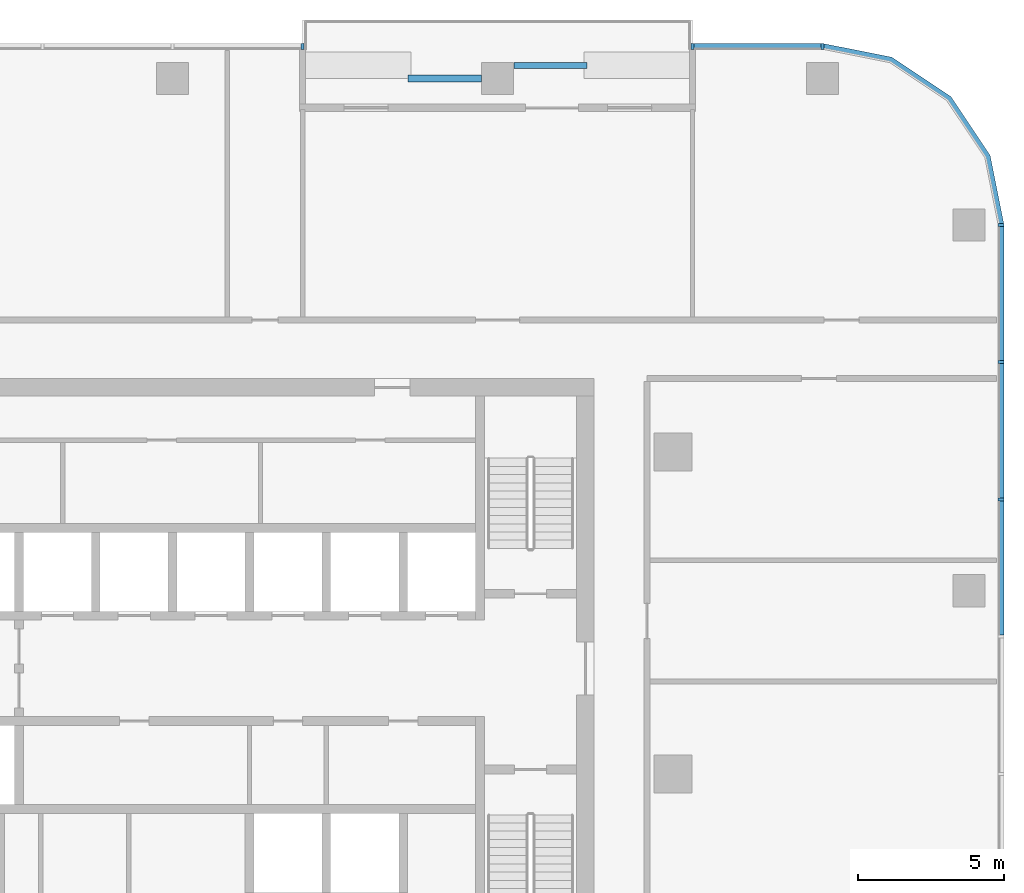
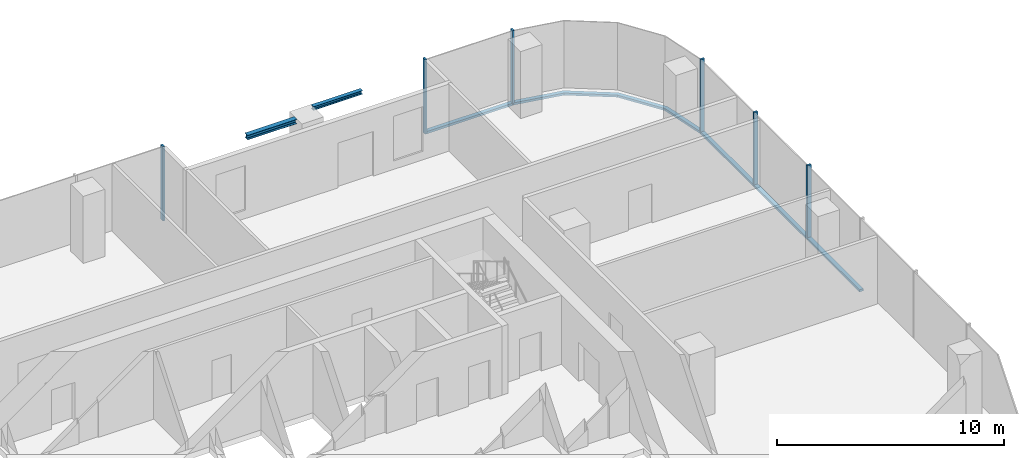
# One storey, part 5 of 14: 11 members, 2 beams, 4 elements without a shape of their own.
"""IFC4 building model written with IfcOpenShell, lengths in metres."""

from ifc_helpers import new_model, si_unit, direction, frame, origin, origin_2d, place, context, subcontext, project, spatial, polyline, rectangle, i_section, outline, extrude, material, material_profile, profile_set, type_object, element, aggregate, save


model = new_model("IFC4")

# Units and contexts
model_context = context("Model", 3, precision=1e-05, world=origin(), true_north=direction((0.0, 1.0)))
body_context = subcontext(model_context, "Body", "Model", "MODEL_VIEW")
ifc_project = project(units=[si_unit("LENGTHUNIT", "METRE"), si_unit("AREAUNIT", "SQUARE_METRE"), si_unit("VOLUMEUNIT", "CUBIC_METRE"), si_unit("PLANEANGLEUNIT", "RADIAN"), si_unit("MASSUNIT", "GRAM", prefix="KILO")], contexts=[model_context])

# Site, building, storey
site_placement = place(None, origin())
site = spatial("IfcSite", under=ifc_project, at=site_placement, CompositionType="ELEMENT")
building_placement = place(site_placement, origin())
building = spatial("IfcBuilding", under=site, at=building_placement, Name="Mopane Tessera Tower", CompositionType="ELEMENT")
storey_placement = place(building_placement, frame((0.0, 0.0, 251.0)))
storey = spatial("IfcBuildingStorey", under=building, at=storey_placement, Name="L54", CompositionType="ELEMENT", Elevation=251.0)

# Curtain wall, members
ifc_material_1 = material(Name="Aluminium frame", Category="aluminium")
curtain_wall_type = type_object("IfcCurtainWallType", Name="Unitised curtain wall", PredefinedType="NOTDEFINED", material=ifc_material_1)
curtain_wall_1_placement = place(storey_placement, origin())
curtain_wall_1 = element("IfcCurtainWall", 1, at=curtain_wall_1_placement, inside=storey, type_object=curtain_wall_type, Name="e:cw:L54:E:0", PredefinedType="NOTDEFINED")
ifc_material_2 = material(Name="Aluminium frame", Category="aluminium")
ifc_material_profile_1 = material_profile(ifc_material_2, rectangle(XDim=0.10009765625, YDim=0.199951171875, at=origin_2d()))
ifc_profile_set_1 = profile_set([ifc_material_profile_1], Name="Aluminium frame")
member_type_1 = type_object("IfcMemberType", Name="Aluminium mullion 100 x 200", PredefinedType="MULLION", material=ifc_profile_set_1)
member_1_placement = place(storey_placement, frame((28.300048828125, 9.375, -0.39990234375), z_axis=(0.0, 0.0, 1.0), x_axis=(0.0, 1.0, 0.0)))
member_1 = element("IfcMember", 2, at=member_1_placement, type_object=member_type_1, Name="e:cw:L54:E:0:mu6", PredefinedType="MULLION", context=body_context, shape_type="SweptSolid", body=[
    extrude(rectangle(XDim=0.10009765625, YDim=0.199951171875, at=origin_2d()), origin(), (0.0, 0.0, 1.0), 4.0),
])
member_2_placement = place(storey_placement, frame((28.300048828125, 14.0625, -0.39990234375), z_axis=(0.0, 0.0, 1.0), x_axis=(0.0, 1.0, 0.0)))
member_2 = element("IfcMember", 3, at=member_2_placement, type_object=member_type_1, Name="e:cw:L54:E:0:mu7", PredefinedType="MULLION", context=body_context, shape_type="SweptSolid", body=[
    extrude(rectangle(XDim=0.10009765625, YDim=0.199951171875, at=origin_2d()), origin(), (0.0, 0.0, 1.0), 4.0),
])
member_3_placement = place(storey_placement, frame((28.300048828125, 18.75, -0.39990234375), z_axis=(0.0, 0.0, 1.0), x_axis=(0.0, 1.0, 0.0)))
member_3 = element("IfcMember", 4, at=member_3_placement, type_object=member_type_1, Name="e:cw:L54:E:0:mu8", PredefinedType="MULLION", context=body_context, shape_type="SweptSolid", body=[
    extrude(rectangle(XDim=0.10009765625, YDim=0.199951171875, at=origin_2d()), origin(), (0.0, 0.0, 1.0), 4.0),
])

curtain_wall_2_placement = place(storey_placement, origin())
curtain_wall_2 = element("IfcCurtainWall", 5, at=curtain_wall_2_placement, inside=storey, type_object=curtain_wall_type, Name="e:cw:L54:N:0", PredefinedType="NOTDEFINED")
member_4_placement = place(storey_placement, frame((22.199951171875, 24.85009765625, -0.39990234375), z_axis=(0.0, 0.0, 1.0), x_axis=(-1.0, 0.0, 0.0)))
member_4 = element("IfcMember", 6, at=member_4_placement, type_object=member_type_1, Name="e:cw:L54:N:0:mu0", PredefinedType="MULLION", context=body_context, shape_type="SweptSolid", body=[
    extrude(rectangle(XDim=0.10009765625, YDim=0.199951171875, at=origin_2d()), origin(), (0.0, 0.0, 1.0), 4.0),
])
member_5_placement = place(storey_placement, frame((17.760009765625, 24.85009765625, -0.39990234375), z_axis=(0.0, 0.0, 1.0), x_axis=(-1.0, 0.0, 0.0)))
member_5 = element("IfcMember", 7, at=member_5_placement, type_object=member_type_1, Name="e:cw:L54:N:0:mu1", PredefinedType="MULLION", context=body_context, shape_type="SweptSolid", body=[
    extrude(rectangle(XDim=0.10009765625, YDim=0.199951171875, at=origin_2d()), origin(), (0.0, 0.0, 1.0), 4.0),
])

# Curtain wall, member
curtain_wall_3_placement = place(storey_placement, origin())
curtain_wall_3 = element("IfcCurtainWall", 8, at=curtain_wall_3_placement, inside=storey, type_object=curtain_wall_type, Name="e:cw:L54:N:4", PredefinedType="NOTDEFINED")
member_6_placement = place(storey_placement, frame((4.43994140625, 24.85009765625, -0.39990234375), z_axis=(0.0, 0.0, 1.0), x_axis=(-1.0, 0.0, 0.0)))
member_6 = element("IfcMember", 9, at=member_6_placement, type_object=member_type_1, Name="e:cw:L54:N:4:mu4", PredefinedType="MULLION", context=body_context, shape_type="SweptSolid", body=[
    extrude(rectangle(XDim=0.10009765625, YDim=0.199951171875, at=origin_2d()), origin(), (0.0, 0.0, 1.0), 4.0),
])
aggregate(curtain_wall_3, [member_6])

# Member
ifc_material_3 = material(Name="Aluminium frame", Category="aluminium")
ifc_material_profile_2 = material_profile(ifc_material_3, rectangle(XDim=0.199951171875, YDim=0.1201171875, at=origin_2d()))
ifc_profile_set_2 = profile_set([ifc_material_profile_2], Name="Aluminium frame")
member_type_2 = type_object("IfcMemberType", Name="Aluminium transom 200 x 120", PredefinedType="USERDEFINED", material=ifc_profile_set_2)
member_7_placement = place(storey_placement, frame((28.300048828125, 4.737548828125, -0.340087890625), z_axis=(0.0, 1.0, 0.0), x_axis=(-1.0, 0.0, 0.0)))
member_7 = element("IfcMember", 10, at=member_7_placement, type_object=member_type_2, Name="e:cw:L54:E:0:tr5", ObjectType="TRANSOM", PredefinedType="USERDEFINED", context=body_context, shape_type="SweptSolid", body=[
    extrude(rectangle(XDim=0.199951171875, YDim=0.1201171875, at=origin_2d()), origin(), (0.0, 0.0, 1.0), 4.58740234375),
])

member_8_placement = place(storey_placement, frame((28.300048828125, 9.425048828125, -0.340087890625), z_axis=(0.0, 1.0, 0.0), x_axis=(-1.0, 0.0, 0.0)))
member_8 = element("IfcMember", 11, at=member_8_placement, type_object=member_type_2, Name="e:cw:L54:E:0:tr6", ObjectType="TRANSOM", PredefinedType="USERDEFINED", context=body_context, shape_type="SweptSolid", body=[
    extrude(rectangle(XDim=0.199951171875, YDim=0.1201171875, at=origin_2d()), origin(), (0.0, 0.0, 1.0), 4.58740234375),
])

member_9_placement = place(storey_placement, frame((28.300048828125, 14.112548828125, -0.340087890625), z_axis=(0.0, 1.0, 0.0), x_axis=(-1.0, 0.0, 0.0)))
member_9 = element("IfcMember", 12, at=member_9_placement, type_object=member_type_2, Name="e:cw:L54:E:0:tr7", ObjectType="TRANSOM", PredefinedType="USERDEFINED", context=body_context, shape_type="SweptSolid", body=[
    extrude(rectangle(XDim=0.199951171875, YDim=0.1201171875, at=origin_2d()), origin(), (0.0, 0.0, 1.0), 4.58740234375),
])

aggregate(curtain_wall_1, [member_1, member_2, member_3, member_7, member_8, member_9])

# Curtain wall, member
curtain_wall_4_placement = place(storey_placement, origin())
curtain_wall_4 = element("IfcCurtainWall", 13, at=curtain_wall_4_placement, inside=storey, type_object=curtain_wall_type, Name="e:cw:L54:CE", PredefinedType="NOTDEFINED")
member_10_placement = place(storey_placement, frame((0.0, 0.0, -0.39990234375)))
member_10 = element("IfcMember", 14, at=member_10_placement, type_object=member_type_2, Name="e:cw:L54:CE:tr", ObjectType="TRANSOM", PredefinedType="USERDEFINED", context=body_context, shape_type="SweptSolid", body=[
    extrude(outline(polyline([(28.199951171875, 18.75), (27.7431640625, 21.046142578125), (26.442626953125, 22.99267578125), (24.49609375, 24.293212890625), (22.199951171875, 24.75), (22.199951171875, 24.949951171875), (24.57275390625, 24.47802734375), (26.583984375, 23.134033203125), (27.927978515625, 21.12255859375), (28.39990234375, 18.75), (28.199951171875, 18.75)])), origin(), (0.0, 0.0, 1.0), 0.119873046875),
])
aggregate(curtain_wall_4, [member_10])

# Member
member_11_placement = place(storey_placement, frame((22.14990234375, 24.85009765625, -0.340087890625), z_axis=(-1.0, 0.0, 0.0), x_axis=(0.0, -1.0, 0.0)))
member_11 = element("IfcMember", 15, at=member_11_placement, type_object=member_type_2, Name="e:cw:L54:N:0:tr0", ObjectType="TRANSOM", PredefinedType="USERDEFINED", context=body_context, shape_type="SweptSolid", body=[
    extrude(rectangle(XDim=0.199951171875, YDim=0.1201171875, at=origin_2d()), origin(), (0.0, 0.0, 1.0), 4.33984375),
])

aggregate(curtain_wall_2, [member_4, member_5, member_11])

# Beams
ifc_material_4 = material(Name="Structural steel S460", Category="steel")
ifc_material_profile_3 = material_profile(ifc_material_4, i_section(OverallWidth=0.239990234375, OverallDepth=0.239990234375, WebThickness=0.010009765625, FlangeThickness=0.01708984375, FilletRadius=0.02099609375, at=origin_2d()))
ifc_profile_set_3 = profile_set([ifc_material_profile_3], Name="Structural steel S460")
beam_type_1 = type_object("IfcBeamType", Name="Terrace spandrel beam HE 240 B", PredefinedType="SPANDREL", material=ifc_profile_set_3)
beam_1_placement = place(storey_placement, frame((10.547119140625, 23.75, 3.47998046875), z_axis=(-1.0, 0.0, 0.0), x_axis=(0.0, -1.0, 0.0)))
element("IfcBeam", 16, at=beam_1_placement, inside=storey, type_object=beam_type_1, Name="Terrace spandrel beam N2 L55", PredefinedType="SPANDREL", context=body_context, shape_type="SweptSolid", body=[
    extrude(i_section(OverallWidth=0.239990234375, OverallDepth=0.239990234375, WebThickness=0.010009765625, FlangeThickness=0.01708984375, FilletRadius=0.02099609375, at=origin_2d()), origin(), (0.0, 0.0, 1.0), 2.5),
])
ifc_material_5 = material(Name="Structural steel S460", Category="steel")
ifc_material_profile_4 = material_profile(ifc_material_5, i_section(OverallWidth=0.199951171875, OverallDepth=0.199951171875, WebThickness=0.009033203125, FlangeThickness=0.014892578125, FilletRadius=0.01806640625, at=origin_2d()))
ifc_profile_set_4 = profile_set([ifc_material_profile_4], Name="Structural steel S460")
beam_type_2 = type_object("IfcBeamType", Name="Terrace trimmer beam HE 200 B", PredefinedType="BEAM", material=ifc_profile_set_4)
beam_2_placement = place(storey_placement, frame((11.653076171875, 24.18994140625, 3.5), z_axis=(1.0, 0.0, 0.0), x_axis=(0.0, 1.0, 0.0)))
element("IfcBeam", 17, at=beam_2_placement, inside=storey, type_object=beam_type_2, Name="Terrace trimmer beam N2 L55", PredefinedType="BEAM", context=body_context, shape_type="SweptSolid", body=[
    extrude(i_section(OverallWidth=0.199951171875, OverallDepth=0.199951171875, WebThickness=0.009033203125, FlangeThickness=0.014892578125, FilletRadius=0.01806640625, at=origin_2d()), origin(), (0.0, 0.0, 1.0), 2.5),
])

save(model, "model.ifc")
